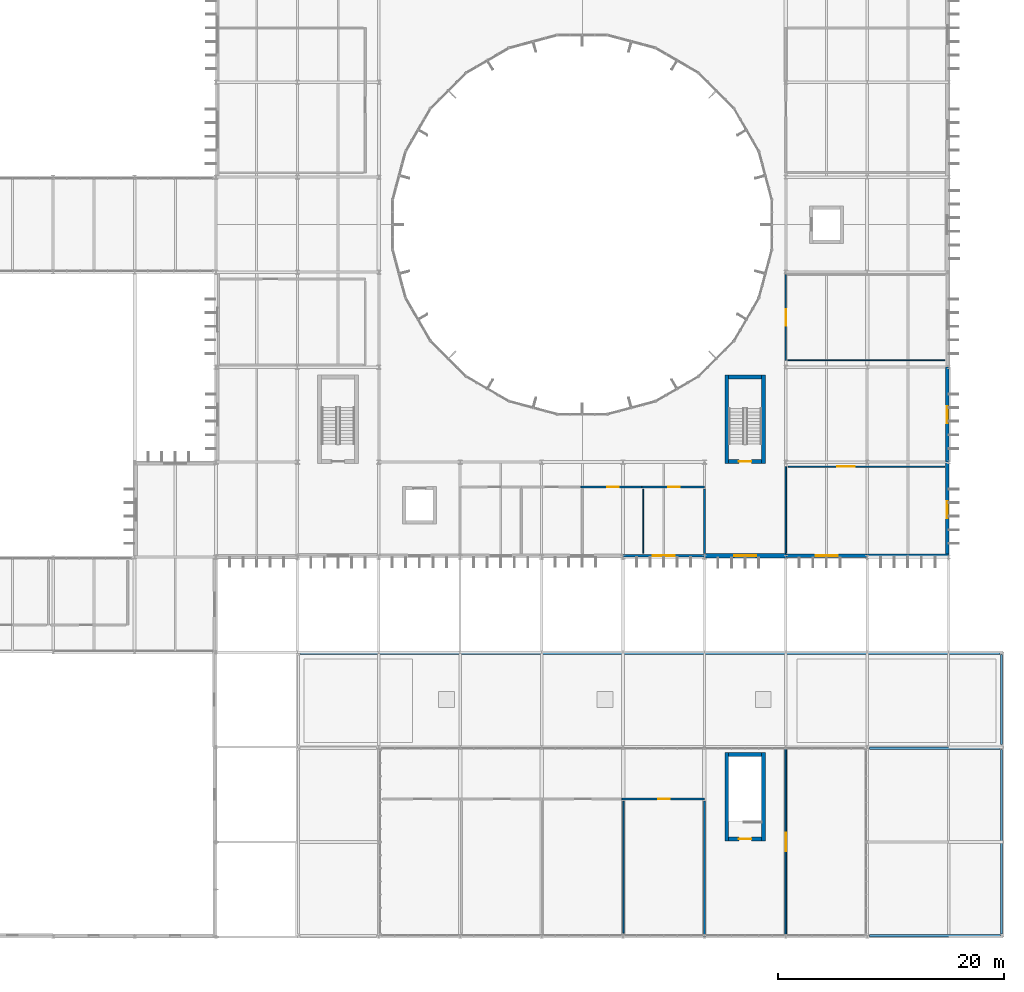
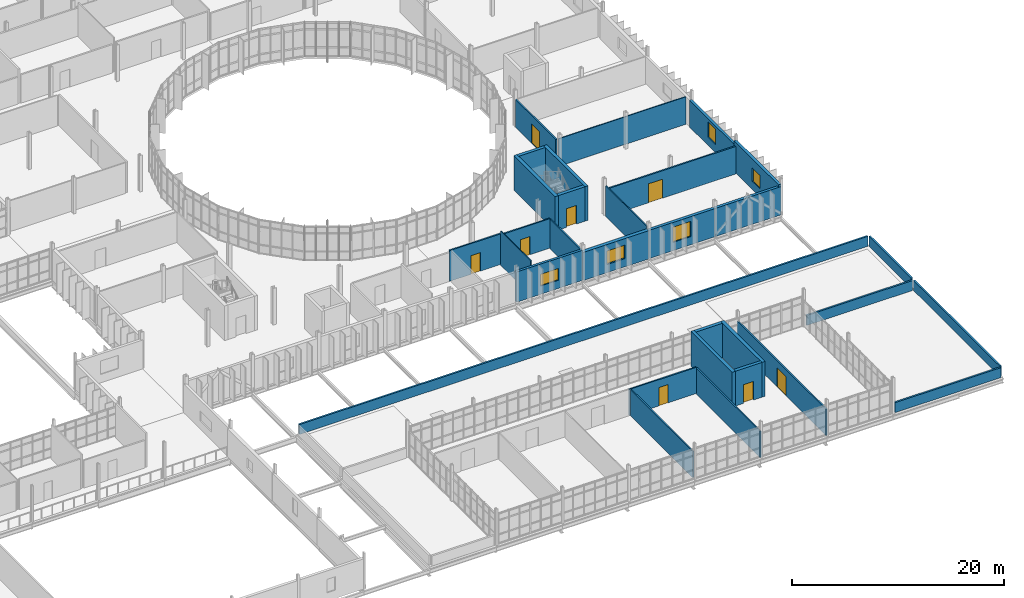
# One storey, part 100 of 119: 31 walls, 8 doors, 5 windows, 13 openings.
"""IFC4 building model written with IfcOpenShell, lengths in metres."""

from ifc_helpers import new_model, si_unit, direction, frame, frame_2d, origin, place, context, subcontext, project, spatial, rectangle, extrude, material, layer, layer_set, type_object, element, fill, save


model = new_model("IFC4")

# Units and contexts
model_context = context("Model", 3, precision=1e-05, world=origin(), true_north=direction((0.0, 1.0)))
body_context = subcontext(model_context, "Body", "Model", "MODEL_VIEW")
ifc_project = project(units=[si_unit("LENGTHUNIT", "METRE"), si_unit("AREAUNIT", "SQUARE_METRE"), si_unit("VOLUMEUNIT", "CUBIC_METRE"), si_unit("PLANEANGLEUNIT", "RADIAN"), si_unit("MASSUNIT", "GRAM", prefix="KILO")], contexts=[model_context])

# Site, building, storey
site_placement = place(None, origin())
site = spatial("IfcSite", under=ifc_project, at=site_placement, CompositionType="ELEMENT")
building_placement = place(site_placement, origin())
building = spatial("IfcBuilding", under=site, at=building_placement, Name="Qelthora Terrace Specialist Clinic", CompositionType="ELEMENT")
storey_placement = place(building_placement, frame((0.0, 0.0, 4.800048828125)))
storey = spatial("IfcBuildingStorey", under=building, at=storey_placement, Name="L01", CompositionType="ELEMENT", Elevation=4.800048828125)

# Walls
ifc_material_1 = material(Name="Concrete C40/50", Category="concrete")
ifc_layer_1 = layer(ifc_material_1, 0.35009765625)
ifc_layer_set_1 = layer_set([ifc_layer_1], Name="Concrete C40/50")
wall_type_1 = type_object("IfcWallType", Name="WAL-CORE-350-C40", PredefinedType="SHEAR", material=ifc_layer_set_1)
for number, where, z_axis, x_axis, name in (
    (1, (138.77490234375, 41.89990234375, 0.0), (0.0, 0.0, 1.0), (0.0, 1.0, 0.0), "ST-06 L01 west shear core wall"),
    (2, (142.02490234375, 41.89990234375, 0.0), (0.0, 0.0, 1.0), (0.0, 1.0, 0.0), "ST-06 L01 east shear core wall"),
):
    element("IfcWall", number, at=place(storey_placement, frame(where, z_axis=z_axis, x_axis=x_axis)), inside=storey, type_object=wall_type_1, Name=name, PredefinedType="SHEAR", context=body_context, shape_type="SweptSolid", body=[
        extrude(rectangle(XDim=7.800048828125, YDim=0.35009765625, at=frame_2d((3.89990234375, 0.0))), origin(), (0.0, 0.0, 1.0), 3.97998046875),
    ])
wall_1_placement = place(storey_placement, frame((138.949951171875, 49.52490234375, 0.0), z_axis=(0.0, 0.0, 1.0), x_axis=(1.0, 0.0, 0.0)))
element("IfcWall", 3, at=wall_1_placement, inside=storey, type_object=wall_type_1, Name="ST-06 L01 north shear core wall", PredefinedType="SHEAR", context=body_context, shape_type="SweptSolid", body=[
    extrude(rectangle(XDim=2.900146484375, YDim=0.35009765625, at=frame_2d((1.4501953125, 0.0))), origin(), (0.0, 0.0, 1.0), 3.97998046875),
])

# Wall, opening, door
wall_2_placement = place(storey_placement, frame((138.949951171875, 42.074951171875, 0.0), z_axis=(0.0, 0.0, 1.0), x_axis=(1.0, 0.0, 0.0)))
wall_2 = element("IfcWall", 4, at=wall_2_placement, inside=storey, type_object=wall_type_1, Name="ST-06 L01 south shear core wall", PredefinedType="SHEAR", context=body_context, shape_type="SweptSolid", body=[
    extrude(rectangle(XDim=2.900146484375, YDim=0.35009765625, at=frame_2d((1.4501953125, 0.0))), origin(), (0.0, 0.0, 1.0), 3.97998046875),
])
opening_1_placement = place(wall_2_placement, frame((0.89990234375, 0.0, 0.0)))
opening_1 = element("IfcOpeningElement", 5, at=opening_1_placement, cuts=wall_2, Name="Opening D-ST-06-L01", PredefinedType="OPENING", context=body_context, shape_type="SweptSolid", body=[
    extrude(rectangle(XDim=1.10009765625, YDim=2.14990234375, at=frame_2d((0.550048828125, 1.074951171875))), frame((0.0, 0.18505859375, 0.0), z_axis=(0.0, -1.0, 0.0), x_axis=(1.0, 0.0, 0.0)), (0.0, 0.0, 1.0), 0.3701171875),
])
ifc_material_2 = material(Name="Steel S355", Category="steel")
door_type_1 = type_object("IfcDoorType", Name="DOR-STAIR-1100X2150", OperationType="NOTDEFINED", PredefinedType="DOOR", material=ifc_material_2)
door_1_placement = place(opening_1_placement, origin())
door_1 = element("IfcDoor", 6, at=door_1_placement, inside=storey, type_object=door_type_1, Name="Stair fire door D-ST-06-L01", OperationType="SINGLE_SWING_RIGHT", OverallHeight=2.14990234375, OverallWidth=1.10009765625, PredefinedType="DOOR", context=body_context, shape_type="SweptSolid", body=[
    extrude(rectangle(XDim=1.10009765625, YDim=2.14990234375, at=frame_2d((0.550048828125, 1.074951171875))), frame((0.0, 0.02490234375, 0.0), z_axis=(0.0, -1.0, 0.0), x_axis=(1.0, 0.0, 0.0)), (0.0, 0.0, 1.0), 0.050048828125),
])
fill(opening_1, door_1)

# Walls
for number, where, z_axis, x_axis, name in (
    (7, (138.77490234375, 8.5, 0.0), (0.0, 0.0, 1.0), (0.0, 1.0, 0.0), "ST-08 L01 west shear core wall"),
    (8, (142.02490234375, 8.5, 0.0), (0.0, 0.0, 1.0), (0.0, 1.0, 0.0), "ST-08 L01 east shear core wall"),
):
    element("IfcWall", number, at=place(storey_placement, frame(where, z_axis=z_axis, x_axis=x_axis)), inside=storey, type_object=wall_type_1, Name=name, PredefinedType="SHEAR", context=body_context, shape_type="SweptSolid", body=[
        extrude(rectangle(XDim=7.800048828125, YDim=0.35009765625, at=frame_2d((3.89990234375, 0.0))), origin(), (0.0, 0.0, 1.0), 4.0),
    ])
wall_3_placement = place(storey_placement, frame((138.949951171875, 16.125, 0.0), z_axis=(0.0, 0.0, 1.0), x_axis=(1.0, 0.0, 0.0)))
element("IfcWall", 9, at=wall_3_placement, inside=storey, type_object=wall_type_1, Name="ST-08 L01 north shear core wall", PredefinedType="SHEAR", context=body_context, shape_type="SweptSolid", body=[
    extrude(rectangle(XDim=2.900146484375, YDim=0.35009765625, at=frame_2d((1.4501953125, 0.0))), origin(), (0.0, 0.0, 1.0), 4.0),
])

# Wall, opening, door
wall_4_placement = place(storey_placement, frame((138.949951171875, 8.675048828125, 0.0), z_axis=(0.0, 0.0, 1.0), x_axis=(1.0, 0.0, 0.0)))
wall_4 = element("IfcWall", 10, at=wall_4_placement, inside=storey, type_object=wall_type_1, Name="ST-08 L01 south shear core wall", PredefinedType="SHEAR", context=body_context, shape_type="SweptSolid", body=[
    extrude(rectangle(XDim=2.900146484375, YDim=0.35009765625, at=frame_2d((1.4501953125, 0.0))), origin(), (0.0, 0.0, 1.0), 4.0),
])
opening_2_placement = place(wall_4_placement, frame((0.89990234375, 0.0, 0.0)))
opening_2 = element("IfcOpeningElement", 11, at=opening_2_placement, cuts=wall_4, Name="Opening D-ST-08-L01", PredefinedType="OPENING", context=body_context, shape_type="SweptSolid", body=[
    extrude(rectangle(XDim=1.10009765625, YDim=2.14990234375, at=frame_2d((0.550048828125, 1.074951171875))), frame((0.0, 0.18505859375, 0.0), z_axis=(0.0, -1.0, 0.0), x_axis=(1.0, 0.0, 0.0)), (0.0, 0.0, 1.0), 0.3701171875),
])
door_2_placement = place(opening_2_placement, origin())
door_2 = element("IfcDoor", 12, at=door_2_placement, inside=storey, type_object=door_type_1, Name="Stair fire door D-ST-08-L01", OperationType="SINGLE_SWING_LEFT", OverallHeight=2.14990234375, OverallWidth=1.10009765625, PredefinedType="DOOR", context=body_context, shape_type="SweptSolid", body=[
    extrude(rectangle(XDim=1.10009765625, YDim=2.14990234375, at=frame_2d((0.550048828125, 1.074951171875))), frame((0.0, 0.02490234375, 0.0), z_axis=(0.0, -1.0, 0.0), x_axis=(1.0, 0.0, 0.0)), (0.0, 0.0, 1.0), 0.050048828125),
])
fill(opening_2, door_2)

# Wall, opening, window
ifc_material_3 = material(Name="Precast concrete C40/50", Category="concrete")
ifc_layer_2 = layer(ifc_material_3, 0.260009765625)
ifc_layer_set_2 = layer_set([ifc_layer_2], Name="Precast concrete C40/50")
wall_type_2 = type_object("IfcWallType", Name="WAL-EXT-260-PC40", PredefinedType="SOLIDWALL", material=ifc_layer_set_2)
wall_5_placement = place(storey_placement, frame((129.60009765625, 33.719970703125, 0.0), z_axis=(0.0, 0.0, 1.0), x_axis=(1.0, 0.0, 0.0)))
wall_5 = element("IfcWall", 13, at=wall_5_placement, inside=storey, type_object=wall_type_2, Name="L01 external precast wall 184", PredefinedType="SOLIDWALL", context=body_context, shape_type="SweptSolid", body=[
    extrude(rectangle(XDim=7.199951171875, YDim=0.260009765625, at=frame_2d((3.60009765625, 0.0))), origin(), (0.0, 0.0, 1.0), 3.48193359375),
])
opening_3_placement = place(wall_5_placement, frame((2.625, 0.0, 0.949951171875)))
opening_3 = element("IfcOpeningElement", 14, at=opening_3_placement, cuts=wall_5, Name="Opening WN-L01-154", PredefinedType="OPENING", context=body_context, shape_type="SweptSolid", body=[
    extrude(rectangle(XDim=1.949951171875, YDim=1.35009765625, at=frame_2d((0.97509765625, 0.675048828125))), frame((0.0, 0.139892578125, 0.0), z_axis=(0.0, -1.0, 0.0), x_axis=(1.0, 0.0, 0.0)), (0.0, 0.0, 1.0), 0.280029296875),
])
ifc_material_4 = material(Name="Low-E triple-silver insulating glass", Category="glass")
window_type_1 = type_object("IfcWindowType", Name="WIN-1950X1350", PartitioningType="DOUBLE_PANEL_VERTICAL", PredefinedType="WINDOW", material=ifc_material_4)
window_1_placement = place(opening_3_placement, origin())
window_1 = element("IfcWindow", 15, at=window_1_placement, inside=storey, type_object=window_type_1, Name="Clinical window WN-L01-154", OverallHeight=1.35009765625, OverallWidth=1.949951171875, PartitioningType="SINGLE_PANEL", PredefinedType="WINDOW", context=body_context, shape_type="SweptSolid", body=[
    extrude(rectangle(XDim=1.949951171875, YDim=1.35009765625, at=frame_2d((0.97509765625, 0.675048828125))), frame((0.0, 0.030029296875, 0.0), z_axis=(0.0, -1.0, 0.0), x_axis=(1.0, 0.0, 0.0)), (0.0, 0.0, 1.0), 0.06005859375),
])
fill(opening_3, window_1)

ifc_layer_3 = layer(ifc_material_3, 0.280029296875)
ifc_layer_set_3 = layer_set([ifc_layer_3], Name="Precast concrete C40/50")
wall_type_3 = type_object("IfcWallType", Name="WAL-EXT-280-PC40", PredefinedType="SOLIDWALL", material=ifc_layer_set_3)
wall_6_placement = place(storey_placement, frame((158.280029296875, 42.0, 0.0), z_axis=(0.0, 0.0, 1.0), x_axis=(0.0, 1.0, 0.0)))
wall_6 = element("IfcWall", 16, at=wall_6_placement, inside=storey, type_object=wall_type_3, Name="L01 external precast wall 173", PredefinedType="SOLIDWALL", context=body_context, shape_type="SweptSolid", body=[
    extrude(rectangle(XDim=8.39990234375, YDim=0.280029296875, at=frame_2d((4.199951171875, 0.0))), origin(), (0.0, 0.0, 1.0), 3.091064453125),
])
opening_4_placement = place(wall_6_placement, frame((3.449951171875, 0.0, 0.949951171875)))
opening_4 = element("IfcOpeningElement", 17, at=opening_4_placement, cuts=wall_6, Name="Opening WN-L01-144", PredefinedType="OPENING", context=body_context, shape_type="SweptSolid", body=[
    extrude(rectangle(XDim=1.5, YDim=1.75, at=frame_2d((0.75, 0.875))), frame((0.0, 0.14990234375, 0.0), z_axis=(0.0, -1.0, 0.0), x_axis=(1.0, 0.0, 0.0)), (0.0, 0.0, 1.0), 0.300048828125),
])
window_type_2 = type_object("IfcWindowType", Name="WIN-1500X1750", PartitioningType="SINGLE_PANEL", PredefinedType="WINDOW", material=ifc_material_4)
window_2_placement = place(opening_4_placement, origin())
window_2 = element("IfcWindow", 18, at=window_2_placement, inside=storey, type_object=window_type_2, Name="Clinical window WN-L01-144", OverallHeight=1.75, OverallWidth=1.5, PartitioningType="SINGLE_PANEL", PredefinedType="WINDOW", context=body_context, shape_type="SweptSolid", body=[
    extrude(rectangle(XDim=1.5, YDim=1.75, at=frame_2d((0.75, 0.875))), frame((0.0, 0.030029296875, 0.0), z_axis=(0.0, -1.0, 0.0), x_axis=(1.0, 0.0, 0.0)), (0.0, 0.0, 1.0), 0.06005859375),
])
fill(opening_4, window_2)

ifc_layer_4 = layer(ifc_material_3, 0.300048828125)
ifc_layer_set_4 = layer_set([ifc_layer_4], Name="Precast concrete C40/50")
wall_type_4 = type_object("IfcWallType", Name="WAL-EXT-300-PC40", PredefinedType="SOLIDWALL", material=ifc_layer_set_4)
wall_7_placement = place(storey_placement, frame((158.280029296875, 33.60009765625, 0.0), z_axis=(0.0, 0.0, 1.0), x_axis=(0.0, 1.0, 0.0)))
wall_7 = element("IfcWall", 19, at=wall_7_placement, inside=storey, type_object=wall_type_4, Name="L01 external precast wall 172", PredefinedType="SOLIDWALL", context=body_context, shape_type="SweptSolid", body=[
    extrude(rectangle(XDim=8.39990234375, YDim=0.300048828125, at=frame_2d((4.199951171875, 0.0))), origin(), (0.0, 0.0, 1.0), 3.529052734375),
])
opening_5_placement = place(wall_7_placement, frame((3.449951171875, 0.0, 0.949951171875)))
opening_5 = element("IfcOpeningElement", 20, at=opening_5_placement, cuts=wall_7, Name="Opening WN-L01-143", PredefinedType="OPENING", context=body_context, shape_type="SweptSolid", body=[
    extrude(rectangle(XDim=1.5, YDim=1.550048828125, at=frame_2d((0.75, 0.77490234375))), frame((0.0, 0.159912109375, 0.0), z_axis=(0.0, -1.0, 0.0), x_axis=(1.0, 0.0, 0.0)), (0.0, 0.0, 1.0), 0.320068359375),
])
window_type_3 = type_object("IfcWindowType", Name="WIN-1500X1550", PartitioningType="SINGLE_PANEL", PredefinedType="WINDOW", material=ifc_material_4)
window_3_placement = place(opening_5_placement, origin())
window_3 = element("IfcWindow", 21, at=window_3_placement, inside=storey, type_object=window_type_3, Name="Clinical window WN-L01-143", OverallHeight=1.550048828125, OverallWidth=1.5, PartitioningType="SINGLE_PANEL", PredefinedType="WINDOW", context=body_context, shape_type="SweptSolid", body=[
    extrude(rectangle(XDim=1.5, YDim=1.550048828125, at=frame_2d((0.75, 0.77490234375))), frame((0.0, 0.030029296875, 0.0), z_axis=(0.0, -1.0, 0.0), x_axis=(1.0, 0.0, 0.0)), (0.0, 0.0, 1.0), 0.06005859375),
])
fill(opening_5, window_3)

# Wall
wall_8_placement = place(storey_placement, frame((151.199951171875, 33.719970703125, 0.0), z_axis=(0.0, 0.0, 1.0), x_axis=(1.0, 0.0, 0.0)))
element("IfcWall", 22, at=wall_8_placement, inside=storey, type_object=wall_type_4, Name="L01 external precast wall 187", PredefinedType="SOLIDWALL", context=body_context, shape_type="SweptSolid", body=[
    extrude(rectangle(XDim=7.199951171875, YDim=0.300048828125, at=frame_2d((3.60009765625, 0.0))), origin(), (0.0, 0.0, 1.0), 3.2490234375),
])

# Wall, opening, window
ifc_layer_5 = layer(ifc_material_3, 0.320068359375)
ifc_layer_set_5 = layer_set([ifc_layer_5], Name="Precast concrete C40/50")
wall_type_5 = type_object("IfcWallType", Name="WAL-EXT-320-PC40", PredefinedType="SOLIDWALL", material=ifc_layer_set_5)
wall_9_placement = place(storey_placement, frame((144.0, 33.719970703125, 0.0), z_axis=(0.0, 0.0, 1.0), x_axis=(1.0, 0.0, 0.0)))
wall_9 = element("IfcWall", 23, at=wall_9_placement, inside=storey, type_object=wall_type_5, Name="L01 external precast wall 186", PredefinedType="SOLIDWALL", context=body_context, shape_type="SweptSolid", body=[
    extrude(rectangle(XDim=7.199951171875, YDim=0.320068359375, at=frame_2d((3.60009765625, 0.0))), origin(), (0.0, 0.0, 1.0), 3.2490234375),
])
opening_6_placement = place(wall_9_placement, frame((2.625, 0.0, 0.949951171875)))
opening_6 = element("IfcOpeningElement", 24, at=opening_6_placement, cuts=wall_9, Name="Opening WN-L01-156", PredefinedType="OPENING", context=body_context, shape_type="SweptSolid", body=[
    extrude(rectangle(XDim=1.949951171875, YDim=1.75, at=frame_2d((0.97509765625, 0.875))), frame((0.0, 0.169921875, 0.0), z_axis=(0.0, -1.0, 0.0), x_axis=(1.0, 0.0, 0.0)), (0.0, 0.0, 1.0), 0.340087890625),
])
window_type_4 = type_object("IfcWindowType", Name="WIN-1950X1750", PartitioningType="DOUBLE_PANEL_VERTICAL", PredefinedType="WINDOW", material=ifc_material_4)
window_4_placement = place(opening_6_placement, origin())
window_4 = element("IfcWindow", 25, at=window_4_placement, inside=storey, type_object=window_type_4, Name="Clinical window WN-L01-156", OverallHeight=1.75, OverallWidth=1.949951171875, PartitioningType="SINGLE_PANEL", PredefinedType="WINDOW", context=body_context, shape_type="SweptSolid", body=[
    extrude(rectangle(XDim=1.949951171875, YDim=1.75, at=frame_2d((0.97509765625, 0.875))), frame((0.0, 0.030029296875, 0.0), z_axis=(0.0, -1.0, 0.0), x_axis=(1.0, 0.0, 0.0)), (0.0, 0.0, 1.0), 0.06005859375),
])
fill(opening_6, window_4)

ifc_layer_6 = layer(ifc_material_3, 0.3798828125)
ifc_layer_set_6 = layer_set([ifc_layer_6], Name="Precast concrete C40/50")
wall_type_6 = type_object("IfcWallType", Name="WAL-EXT-380-PC40", PredefinedType="SOLIDWALL", material=ifc_layer_set_6)
wall_10_placement = place(storey_placement, frame((136.800048828125, 33.719970703125, 0.0), z_axis=(0.0, 0.0, 1.0), x_axis=(1.0, 0.0, 0.0)))
wall_10 = element("IfcWall", 26, at=wall_10_placement, inside=storey, type_object=wall_type_6, Name="L01 external precast wall 185", PredefinedType="SOLIDWALL", context=body_context, shape_type="SweptSolid", body=[
    extrude(rectangle(XDim=7.199951171875, YDim=0.3798828125, at=frame_2d((3.60009765625, 0.0))), origin(), (0.0, 0.0, 1.0), 3.2490234375),
])
opening_7_placement = place(wall_10_placement, frame((2.625, 0.0, 0.949951171875)))
opening_7 = element("IfcOpeningElement", 27, at=opening_7_placement, cuts=wall_10, Name="Opening WN-L01-155", PredefinedType="OPENING", context=body_context, shape_type="SweptSolid", body=[
    extrude(rectangle(XDim=1.949951171875, YDim=1.550048828125, at=frame_2d((0.97509765625, 0.77490234375))), frame((0.0, 0.199951171875, 0.0), z_axis=(0.0, -1.0, 0.0), x_axis=(1.0, 0.0, 0.0)), (0.0, 0.0, 1.0), 0.39990234375),
])
window_type_5 = type_object("IfcWindowType", Name="WIN-1950X1550", PartitioningType="DOUBLE_PANEL_VERTICAL", PredefinedType="WINDOW", material=ifc_material_4)
window_5_placement = place(opening_7_placement, origin())
window_5 = element("IfcWindow", 28, at=window_5_placement, inside=storey, type_object=window_type_5, Name="Clinical window WN-L01-155", OverallHeight=1.550048828125, OverallWidth=1.949951171875, PartitioningType="SINGLE_PANEL", PredefinedType="WINDOW", context=body_context, shape_type="SweptSolid", body=[
    extrude(rectangle(XDim=1.949951171875, YDim=1.550048828125, at=frame_2d((0.97509765625, 0.77490234375))), frame((0.0, 0.030029296875, 0.0), z_axis=(0.0, -1.0, 0.0), x_axis=(1.0, 0.0, 0.0)), (0.0, 0.0, 1.0), 0.06005859375),
])
fill(opening_7, window_5)

# Wall
ifc_material_5 = material(Name="Gypsum acoustic wallboard", Category="gypsum")
ifc_layer_7 = layer(ifc_material_5, 0.139892578125)
ifc_layer_set_7 = layer_set([ifc_layer_7], Name="Gypsum acoustic wallboard")
wall_type_7 = type_object("IfcWallType", Name="WAL-INT-ACU-140", PredefinedType="PARTITIONING", material=ifc_layer_set_7)
wall_11_placement = place(storey_placement, frame((129.637451171875, 12.02001953125, 0.0), z_axis=(0.0, 0.0, 1.0), x_axis=(0.0, -1.0, 0.0)))
element("IfcWall", 29, at=wall_11_placement, inside=storey, type_object=wall_type_7, Name="Interior clinical partition IWAL-L01-0175", PredefinedType="PARTITIONING", context=body_context, shape_type="SweptSolid", body=[
    extrude(rectangle(XDim=11.679931640625, YDim=0.139892578125, at=frame_2d((5.83984375, 0.0))), origin(), (0.0, 0.0, 1.0), 3.01806640625),
])

# Wall, opening, door
ifc_material_6 = material(Name="Gypsum fire-rated wallboard", Category="gypsum")
ifc_layer_8 = layer(ifc_material_6, 0.159912109375)
ifc_layer_set_8 = layer_set([ifc_layer_8], Name="Gypsum fire-rated wallboard")
wall_type_8 = type_object("IfcWallType", Name="WAL-INT-COR-160", PredefinedType="PARTITIONING", material=ifc_layer_set_8)
wall_12_placement = place(storey_placement, frame((144.0, 0.010009765625, 0.0), z_axis=(0.0, 0.0, 1.0), x_axis=(0.0, 1.0, 0.0)))
wall_12 = element("IfcWall", 30, at=wall_12_placement, inside=storey, type_object=wall_type_8, Name="Interior clinical partition IWAL-L01-0178", PredefinedType="PARTITIONING", context=body_context, shape_type="SweptSolid", body=[
    extrude(rectangle(XDim=16.780029296875, YDim=0.159912109375, at=frame_2d((8.39013671875, 0.0))), origin(), (0.0, 0.0, 1.0), 3.01806640625),
])
opening_8_placement = place(wall_12_placement, frame((7.56494140625, 0.0, 0.0)))
opening_8 = element("IfcOpeningElement", 31, at=opening_8_placement, cuts=wall_12, Name="Opening DI-L01-0072", PredefinedType="OPENING", context=body_context, shape_type="SweptSolid", body=[
    extrude(rectangle(XDim=1.64990234375, YDim=2.199951171875, at=frame_2d((0.824951171875, 1.10009765625))), frame((0.0, 0.08984375, 0.0), z_axis=(0.0, -1.0, 0.0), x_axis=(1.0, 0.0, 0.0)), (0.0, 0.0, 1.0), 0.179931640625),
])
ifc_material_7 = material(Name="Aluminium anodized bronze", Category="aluminium")
door_type_2 = type_object("IfcDoorType", Name="DOR-GYM-1650X2200", OperationType="NOTDEFINED", PredefinedType="DOOR", material=ifc_material_7)
door_3_placement = place(opening_8_placement, frame((1.64990234375, 0.0, 0.0), z_axis=(0.0, 0.0, 1.0), x_axis=(-1.0, 0.0, 0.0)))
door_3 = element("IfcDoor", 32, at=door_3_placement, inside=storey, type_object=door_type_2, Name="Interior clinical door DI-L01-0072", OperationType="DOUBLE_DOOR_SINGLE_SWING", OverallHeight=2.199951171875, OverallWidth=1.64990234375, PredefinedType="DOOR", context=body_context, shape_type="SweptSolid", body=[
    extrude(rectangle(XDim=1.64990234375, YDim=2.199951171875, at=frame_2d((0.824951171875, 1.10009765625))), frame((0.0, 0.02490234375, 0.0), z_axis=(0.0, -1.0, 0.0), x_axis=(1.0, 0.0, 0.0)), (0.0, 0.0, 1.0), 0.050048828125),
])
fill(opening_8, door_3)

wall_13_placement = place(storey_placement, frame((144.179931640625, 41.60009765625, 0.0), z_axis=(0.0, 0.0, 1.0), x_axis=(1.0, 0.0, 0.0)))
wall_13 = element("IfcWall", 33, at=wall_13_placement, inside=storey, type_object=wall_type_8, Name="Interior clinical partition IWAL-L01-0180", PredefinedType="PARTITIONING", context=body_context, shape_type="SweptSolid", body=[
    extrude(rectangle(XDim=13.880126953125, YDim=0.159912109375, at=frame_2d((6.93994140625, 0.0))), origin(), (0.0, 0.0, 1.0), 3.175048828125),
])
opening_9_placement = place(wall_13_placement, frame((4.364990234375, 0.0, 0.0)))
opening_9 = element("IfcOpeningElement", 34, at=opening_9_placement, cuts=wall_13, Name="Opening DI-L01-0073", PredefinedType="OPENING", context=body_context, shape_type="SweptSolid", body=[
    extrude(rectangle(XDim=1.550048828125, YDim=2.199951171875, at=frame_2d((0.77490234375, 1.10009765625))), frame((0.0, 0.08984375, 0.0), z_axis=(0.0, -1.0, 0.0), x_axis=(1.0, 0.0, 0.0)), (0.0, 0.0, 1.0), 0.179931640625),
])
door_type_3 = type_object("IfcDoorType", Name="DOR-LIB-1550X2200", OperationType="NOTDEFINED", PredefinedType="DOOR", material=ifc_material_7)
door_4_placement = place(opening_9_placement, frame((1.550048828125, 0.0, 0.0), z_axis=(0.0, 0.0, 1.0), x_axis=(-1.0, 0.0, 0.0)))
door_4 = element("IfcDoor", 35, at=door_4_placement, inside=storey, type_object=door_type_3, Name="Interior clinical door DI-L01-0073", OperationType="DOUBLE_DOOR_SINGLE_SWING", OverallHeight=2.199951171875, OverallWidth=1.550048828125, PredefinedType="DOOR", context=body_context, shape_type="SweptSolid", body=[
    extrude(rectangle(XDim=1.550048828125, YDim=2.199951171875, at=frame_2d((0.77490234375, 1.10009765625))), frame((0.0, 0.02490234375, 0.0), z_axis=(0.0, -1.0, 0.0), x_axis=(1.0, 0.0, 0.0)), (0.0, 0.0, 1.0), 0.050048828125),
])
fill(opening_9, door_4)

wall_14_placement = place(storey_placement, frame((125.864990234375, 39.800048828125, 0.0), z_axis=(0.0, 0.0, 1.0), x_axis=(1.0, 0.0, 0.0)))
wall_14 = element("IfcWall", 36, at=wall_14_placement, inside=storey, type_object=wall_type_8, Name="Interior clinical partition IWAL-L01-0186", PredefinedType="PARTITIONING", context=body_context, shape_type="SweptSolid", body=[
    extrude(rectangle(XDim=5.534912109375, YDim=0.159912109375, at=frame_2d((2.767578125, 0.0))), origin(), (0.0, 0.0, 1.0), 3.534912109375),
])
opening_10_placement = place(wall_14_placement, frame((2.33740234375, 0.0, 0.0)))
opening_10 = element("IfcOpeningElement", 37, at=opening_10_placement, cuts=wall_14, Name="Opening DI-L01-0076", PredefinedType="OPENING", context=body_context, shape_type="SweptSolid", body=[
    extrude(rectangle(XDim=1.0, YDim=2.14990234375, at=frame_2d((0.5, 1.074951171875))), frame((0.0, 0.08984375, 0.0), z_axis=(0.0, -1.0, 0.0), x_axis=(1.0, 0.0, 0.0)), (0.0, 0.0, 1.0), 0.179931640625),
])
ifc_material_8 = material(Name="Glulam timber GL28h", Category="wood")
door_type_4 = type_object("IfcDoorType", Name="DOR-CON-1000X2150", OperationType="NOTDEFINED", PredefinedType="DOOR", material=ifc_material_8)
door_5_placement = place(opening_10_placement, frame((1.0, 0.0, 0.0), z_axis=(0.0, 0.0, 1.0), x_axis=(-1.0, 0.0, 0.0)))
door_5 = element("IfcDoor", 38, at=door_5_placement, inside=storey, type_object=door_type_4, Name="Interior clinical door DI-L01-0076", OperationType="SINGLE_SWING_LEFT", OverallHeight=2.14990234375, OverallWidth=1.0, PredefinedType="DOOR", context=body_context, shape_type="SweptSolid", body=[
    extrude(rectangle(XDim=1.0, YDim=2.14990234375, at=frame_2d((0.5, 1.074951171875))), frame((0.0, 0.02490234375, 0.0), z_axis=(0.0, -1.0, 0.0), x_axis=(1.0, 0.0, 0.0)), (0.0, 0.0, 1.0), 0.050048828125),
])
fill(opening_10, door_5)

wall_15_placement = place(storey_placement, frame((144.0, 51.0, 0.0), z_axis=(0.0, 0.0, 1.0), x_axis=(0.0, 1.0, 0.0)))
wall_15 = element("IfcWall", 39, at=wall_15_placement, inside=storey, type_object=wall_type_8, Name="Interior clinical partition IWAL-L01-0214", PredefinedType="PARTITIONING", context=body_context, shape_type="SweptSolid", body=[
    extrude(rectangle(XDim=7.60009765625, YDim=0.159912109375, at=frame_2d((3.800048828125, 0.0))), origin(), (0.0, 0.0, 1.0), 3.175048828125),
])
opening_11_placement = place(wall_15_placement, frame((3.074951171875, 0.0, 0.0)))
opening_11 = element("IfcOpeningElement", 40, at=opening_11_placement, cuts=wall_15, Name="Opening DI-L01-0086", PredefinedType="OPENING", context=body_context, shape_type="SweptSolid", body=[
    extrude(rectangle(XDim=1.449951171875, YDim=2.199951171875, at=frame_2d((0.72509765625, 1.10009765625))), frame((0.0, 0.08984375, 0.0), z_axis=(0.0, -1.0, 0.0), x_axis=(1.0, 0.0, 0.0)), (0.0, 0.0, 1.0), 0.179931640625),
])
door_type_5 = type_object("IfcDoorType", Name="DOR-LAB-1450X2200", OperationType="NOTDEFINED", PredefinedType="DOOR", material=ifc_material_2)
door_6_placement = place(opening_11_placement, frame((1.449951171875, 0.0, 0.0), z_axis=(0.0, 0.0, 1.0), x_axis=(-1.0, 0.0, 0.0)))
door_6 = element("IfcDoor", 41, at=door_6_placement, inside=storey, type_object=door_type_5, Name="Interior clinical door DI-L01-0086", OperationType="SINGLE_SWING_LEFT", OverallHeight=2.199951171875, OverallWidth=1.449951171875, PredefinedType="DOOR", context=body_context, shape_type="SweptSolid", body=[
    extrude(rectangle(XDim=1.449951171875, YDim=2.199951171875, at=frame_2d((0.72509765625, 1.10009765625))), frame((0.0, 0.02490234375, 0.0), z_axis=(0.0, -1.0, 0.0), x_axis=(1.0, 0.0, 0.0)), (0.0, 0.0, 1.0), 0.050048828125),
])
fill(opening_11, door_6)

# Walls
ifc_layer_9 = layer(ifc_material_5, 0.10009765625)
ifc_layer_set_9 = layer_set([ifc_layer_9], Name="Gypsum acoustic wallboard")
wall_type_9 = type_object("IfcWallType", Name="WAL-INT-LGT-100", PredefinedType="PARTITIONING", material=ifc_layer_set_9)
wall_16_placement = place(storey_placement, frame((131.39990234375, 39.6201171875, 0.0), z_axis=(0.0, 0.0, 1.0), x_axis=(0.0, -1.0, 0.0)))
element("IfcWall", 42, at=wall_16_placement, inside=storey, type_object=wall_type_9, Name="Interior clinical partition IWAL-L01-0187", PredefinedType="PARTITIONING", context=body_context, shape_type="SweptSolid", body=[
    extrude(rectangle(XDim=5.68017578125, YDim=0.10009765625, at=frame_2d((2.840087890625, 0.0))), origin(), (0.0, 0.0, 1.0), 3.945068359375),
])
wall_17_placement = place(storey_placement, frame((158.06005859375, 51.0, 0.0), z_axis=(0.0, 0.0, 1.0), x_axis=(-1.0, 0.0, 0.0)))
element("IfcWall", 43, at=wall_17_placement, inside=storey, type_object=wall_type_9, Name="Interior clinical partition IWAL-L01-0216", PredefinedType="PARTITIONING", context=body_context, shape_type="SweptSolid", body=[
    extrude(rectangle(XDim=13.880126953125, YDim=0.10009765625, at=frame_2d((6.93994140625, 0.0))), origin(), (0.0, 0.0, 1.0), 3.175048828125),
])
ifc_layer_10 = layer(ifc_material_5, 0.1201171875)
ifc_layer_set_10 = layer_set([ifc_layer_10], Name="Gypsum acoustic wallboard")
wall_type_10 = type_object("IfcWallType", Name="WAL-INT-STD-120", PredefinedType="PARTITIONING", material=ifc_layer_set_10)
wall_18_placement = place(storey_placement, frame((144.0, 33.93994140625, 0.0), z_axis=(0.0, 0.0, 1.0), x_axis=(0.0, 1.0, 0.0)))
element("IfcWall", 44, at=wall_18_placement, inside=storey, type_object=wall_type_10, Name="Interior clinical partition IWAL-L01-0179", PredefinedType="PARTITIONING", context=body_context, shape_type="SweptSolid", body=[
    extrude(rectangle(XDim=7.66015625, YDim=0.1201171875, at=frame_2d((3.830078125, 0.0))), origin(), (0.0, 0.0, 1.0), 3.534912109375),
])

# Wall, opening, door
ifc_material_9 = material(Name="Gypsum moisture-resistant", Category="gypsum")
ifc_layer_11 = layer(ifc_material_9, 0.14990234375)
ifc_layer_set_11 = layer_set([ifc_layer_11], Name="Gypsum moisture-resistant")
wall_type_11 = type_object("IfcWallType", Name="WAL-INT-WET-150", PredefinedType="PLUMBINGWALL", material=ifc_layer_set_11)
wall_19_placement = place(storey_placement, frame((129.50244140625, 12.199951171875, 0.0), z_axis=(0.0, 0.0, 1.0), x_axis=(1.0, 0.0, 0.0)))
wall_19 = element("IfcWall", 45, at=wall_19_placement, inside=storey, type_object=wall_type_11, Name="Interior clinical partition IWAL-L01-0176", PredefinedType="PLUMBINGWALL", context=body_context, shape_type="SweptSolid", body=[
    extrude(rectangle(XDim=7.297607421875, YDim=0.14990234375, at=frame_2d((3.64892578125, 0.0))), origin(), (0.0, 0.0, 1.0), 3.01806640625),
])
opening_12_placement = place(wall_19_placement, frame((3.21875, 0.0, 0.0)))
opening_12 = element("IfcOpeningElement", 46, at=opening_12_placement, cuts=wall_19, Name="Opening DI-L01-0071", PredefinedType="OPENING", context=body_context, shape_type="SweptSolid", body=[
    extrude(rectangle(XDim=1.0, YDim=2.10009765625, at=frame_2d((0.5, 1.050048828125))), frame((0.0, 0.0849609375, 0.0), z_axis=(0.0, -1.0, 0.0), x_axis=(1.0, 0.0, 0.0)), (0.0, 0.0, 1.0), 0.169921875),
])
door_type_6 = type_object("IfcDoorType", Name="DOR-AWC-1000X2100", OperationType="NOTDEFINED", PredefinedType="DOOR", material=ifc_material_8)
door_7_placement = place(opening_12_placement, frame((1.0, 0.0, 0.0), z_axis=(0.0, 0.0, 1.0), x_axis=(-1.0, 0.0, 0.0)))
door_7 = element("IfcDoor", 47, at=door_7_placement, inside=storey, type_object=door_type_6, Name="Interior clinical door DI-L01-0071", OperationType="SINGLE_SWING_RIGHT", OverallHeight=2.10009765625, OverallWidth=1.0, PredefinedType="DOOR", context=body_context, shape_type="SweptSolid", body=[
    extrude(rectangle(XDim=1.0, YDim=2.10009765625, at=frame_2d((0.5, 1.050048828125))), frame((0.0, 0.02490234375, 0.0), z_axis=(0.0, -1.0, 0.0), x_axis=(1.0, 0.0, 0.0)), (0.0, 0.0, 1.0), 0.050048828125),
])
fill(opening_12, door_7)

# Wall
wall_20_placement = place(storey_placement, frame((136.800048828125, 12.02001953125, 0.0), z_axis=(0.0, 0.0, 1.0), x_axis=(0.0, -1.0, 0.0)))
element("IfcWall", 48, at=wall_20_placement, inside=storey, type_object=wall_type_11, Name="Interior clinical partition IWAL-L01-0177", PredefinedType="PLUMBINGWALL", context=body_context, shape_type="SweptSolid", body=[
    extrude(rectangle(XDim=12.010009765625, YDim=0.14990234375, at=frame_2d((6.0048828125, 0.0))), origin(), (0.0, 0.0, 1.0), 3.01806640625),
])

# Wall, opening, door
wall_21_placement = place(storey_placement, frame((131.264892578125, 39.800048828125, 0.0), z_axis=(0.0, 0.0, 1.0), x_axis=(1.0, 0.0, 0.0)))
wall_21 = element("IfcWall", 49, at=wall_21_placement, inside=storey, type_object=wall_type_11, Name="Interior clinical partition IWAL-L01-0188", PredefinedType="PLUMBINGWALL", context=body_context, shape_type="SweptSolid", body=[
    extrude(rectangle(XDim=5.53515625, YDim=0.14990234375, at=frame_2d((2.767578125, 0.0))), origin(), (0.0, 0.0, 1.0), 3.40087890625),
])
opening_13_placement = place(wall_21_placement, frame((2.33740234375, 0.0, 0.0)))
opening_13 = element("IfcOpeningElement", 50, at=opening_13_placement, cuts=wall_21, Name="Opening DI-L01-0077", PredefinedType="OPENING", context=body_context, shape_type="SweptSolid", body=[
    extrude(rectangle(XDim=1.0, YDim=2.10009765625, at=frame_2d((0.5, 1.050048828125))), frame((0.0, 0.0849609375, 0.0), z_axis=(0.0, -1.0, 0.0), x_axis=(1.0, 0.0, 0.0)), (0.0, 0.0, 1.0), 0.169921875),
])
door_8_placement = place(opening_13_placement, frame((1.0, 0.0, 0.0), z_axis=(0.0, 0.0, 1.0), x_axis=(-1.0, 0.0, 0.0)))
door_8 = element("IfcDoor", 51, at=door_8_placement, inside=storey, type_object=door_type_6, Name="Interior clinical door DI-L01-0077", OperationType="SINGLE_SWING_RIGHT", OverallHeight=2.10009765625, OverallWidth=1.0, PredefinedType="DOOR", context=body_context, shape_type="SweptSolid", body=[
    extrude(rectangle(XDim=1.0, YDim=2.10009765625, at=frame_2d((0.5, 1.050048828125))), frame((0.0, 0.02490234375, 0.0), z_axis=(0.0, -1.0, 0.0), x_axis=(1.0, 0.0, 0.0)), (0.0, 0.0, 1.0), 0.050048828125),
])
fill(opening_13, door_8)

# Walls
wall_22_placement = place(storey_placement, frame((136.800048828125, 39.6201171875, 0.0), z_axis=(0.0, 0.0, 1.0), x_axis=(0.0, -1.0, 0.0)))
element("IfcWall", 52, at=wall_22_placement, inside=storey, type_object=wall_type_11, Name="Interior clinical partition IWAL-L01-0189", PredefinedType="PLUMBINGWALL", context=body_context, shape_type="SweptSolid", body=[
    extrude(rectangle(XDim=5.68017578125, YDim=0.14990234375, at=frame_2d((2.840087890625, 0.0))), origin(), (0.0, 0.0, 1.0), 3.40087890625),
])
ifc_layer_12 = layer(ifc_material_3, 0.18994140625)
ifc_layer_set_12 = layer_set([ifc_layer_12], Name="Precast concrete C40/50")
wall_type_12 = type_object("IfcWallType", Name="WAL-PAR-190-PC40", PredefinedType="PARAPET", material=ifc_layer_set_12)
wall_23_placement = place(storey_placement, frame((163.090087890625, 17.02001953125, 0.0), z_axis=(0.0, 0.0, 1.0), x_axis=(0.0, 1.0, 0.0)))
element("IfcWall", 53, at=wall_23_placement, inside=storey, type_object=wall_type_12, Name="Roof perimeter parapet ROOF-V3-LOW1-1", PredefinedType="PARAPET", context=body_context, shape_type="SweptSolid", body=[
    extrude(rectangle(XDim=7.9599609375, YDim=0.18994140625, at=frame_2d((3.97998046875, 0.0))), origin(), (0.0, 0.0, 1.0), 1.14990234375),
])
wall_24_placement = place(storey_placement, frame((162.923095703125, 25.090087890625, 0.0), z_axis=(0.0, 0.0, 1.0), x_axis=(-1.0, 0.0, 0.0)))
element("IfcWall", 54, at=wall_24_placement, inside=storey, type_object=wall_type_12, Name="Roof perimeter parapet ROOF-V3-LOW1-2", PredefinedType="PARAPET", context=body_context, shape_type="SweptSolid", body=[
    extrude(rectangle(XDim=61.903076171875, YDim=0.18994140625, at=frame_2d((30.95166015625, 0.0))), origin(), (0.0, 0.0, 1.0), 1.14990234375),
])
wall_25_placement = place(storey_placement, frame((151.419921875, 0.110107421875, 0.0), z_axis=(0.0, 0.0, 1.0), x_axis=(1.0, 0.0, 0.0)))
element("IfcWall", 55, at=wall_25_placement, inside=storey, type_object=wall_type_12, Name="Roof perimeter parapet ROOF-V3-LOW2-1", PredefinedType="PARAPET", context=body_context, shape_type="SweptSolid", body=[
    extrude(rectangle(XDim=11.56005859375, YDim=0.18994140625, at=frame_2d((5.780029296875, 0.0))), origin(), (0.0, 0.0, 1.0), 1.14990234375),
])
wall_26_placement = place(storey_placement, frame((163.090087890625, 0.277099609375, 0.0), z_axis=(0.0, 0.0, 1.0), x_axis=(0.0, 1.0, 0.0)))
element("IfcWall", 56, at=wall_26_placement, inside=storey, type_object=wall_type_12, Name="Roof perimeter parapet ROOF-V3-LOW2-2", PredefinedType="PARAPET", context=body_context, shape_type="SweptSolid", body=[
    extrude(rectangle(XDim=16.302978515625, YDim=0.18994140625, at=frame_2d((8.1513671875, 0.0))), origin(), (0.0, 0.0, 1.0), 1.14990234375),
])
wall_27_placement = place(storey_placement, frame((162.923095703125, 16.68994140625, 0.0), z_axis=(0.0, 0.0, 1.0), x_axis=(-1.0, 0.0, 0.0)))
element("IfcWall", 57, at=wall_27_placement, inside=storey, type_object=wall_type_12, Name="Roof perimeter parapet ROOF-V3-LOW2-3", PredefinedType="PARAPET", context=body_context, shape_type="SweptSolid", body=[
    extrude(rectangle(XDim=11.503173828125, YDim=0.18994140625, at=frame_2d((5.75146484375, 0.0))), origin(), (0.0, 0.0, 1.0), 1.14990234375),
])

save(model, "model.ifc")
